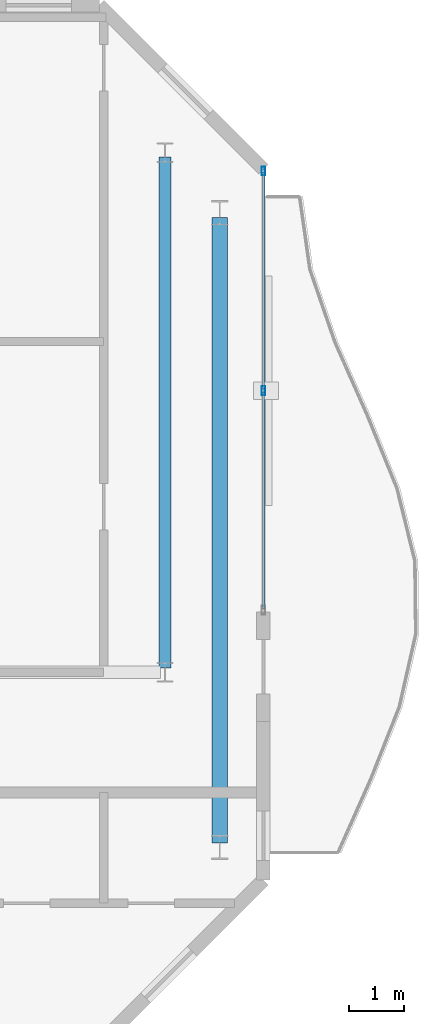
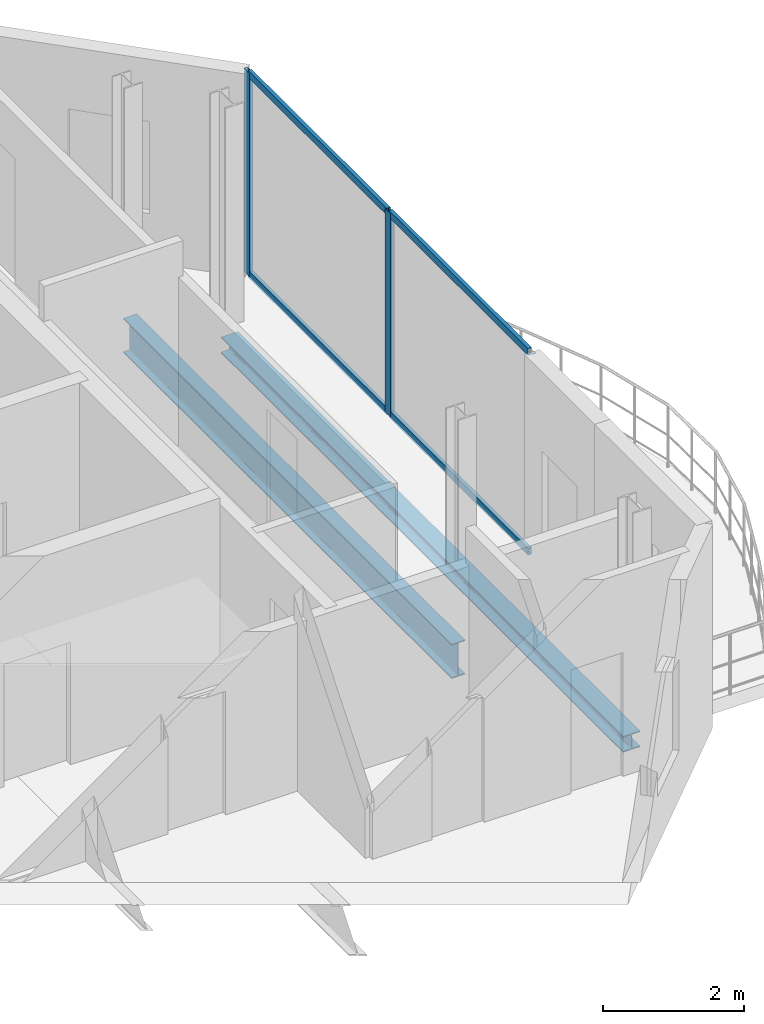
# One storey, part 15 of 22: 6 members, 2 beams, 1 element without a shape of its own.
"""IFC4 building model written with IfcOpenShell, lengths in metres."""

from ifc_helpers import new_model, si_unit, direction, frame, origin, origin_2d, place, context, subcontext, project, spatial, hollow_rectangle, i_section, extrude, material, layer, layer_set, material_profile, profile_set, type_object, element, aggregate, save


model = new_model("IFC4")

# Units and contexts
model_context = context("Model", 3, precision=1e-05, world=origin(), true_north=direction((0.0, 1.0)))
body_context = subcontext(model_context, "Body", "Model", "MODEL_VIEW")
ifc_project = project(units=[si_unit("LENGTHUNIT", "METRE"), si_unit("AREAUNIT", "SQUARE_METRE"), si_unit("VOLUMEUNIT", "CUBIC_METRE"), si_unit("PLANEANGLEUNIT", "RADIAN"), si_unit("MASSUNIT", "GRAM", prefix="KILO")], contexts=[model_context])

# Site, building, storey
site_placement = place(None, origin())
site = spatial("IfcSite", under=ifc_project, at=site_placement, CompositionType="ELEMENT")
building_placement = place(site_placement, origin())
building = spatial("IfcBuilding", under=site, at=building_placement, Name="Catumbela Crestline Tower", CompositionType="ELEMENT")
storey_placement = place(building_placement, frame((0.0, 0.0, 229.8)))
storey = spatial("IfcBuildingStorey", under=building, at=storey_placement, Name="L59", CompositionType="ELEMENT", Elevation=229.8)

# Beam
ifc_material_1 = material(Name="Structural steel S355J2", Category="steel")
ifc_material_profile_1 = material_profile(ifc_material_1, i_section(OverallWidth=0.22, OverallDepth=0.6, WebThickness=0.012, FlangeThickness=0.019, FilletRadius=0.024, at=origin_2d()), Name="IPE 600")
ifc_profile_set_1 = profile_set([ifc_material_profile_1], Name="Structural steel S355J2")
beam_type_1 = type_object("IfcBeamType", Name="BG-IPE600", PredefinedType="BEAM", material=ifc_profile_set_1)
beam_1_placement = place(storey_placement, frame((44.2, 30.88, -0.56), z_axis=(0.0, 1.0, 0.0), x_axis=(-1.0, 0.0, 0.0)))
element("IfcBeam", 1, at=beam_1_placement, inside=storey, type_object=beam_type_1, Name="L59 Beam BM-L59-SN19", PredefinedType="BEAM", context=body_context, shape_type="SweptSolid", body=[
    extrude(i_section(OverallWidth=0.22, OverallDepth=0.6, WebThickness=0.012, FlangeThickness=0.019, FilletRadius=0.024, at=origin_2d()), origin(), (0.0, 0.0, 1.0), 9.34),
])

# Curtain wall, members
ifc_material_2 = material(Name="Aluminium alloy AW-6060-T66", Category="aluminium")
ifc_layer = layer(ifc_material_2, 0.18, Name="Aluminium alloy AW-6060-T66")
ifc_layer_set = layer_set([ifc_layer], Name="Aluminium alloy AW-6060-T66")
curtain_wall_type = type_object("IfcCurtainWallType", Name="CWU-Z4", PredefinedType="USERDEFINED", material=ifc_layer_set)
curtain_wall_placement = place(storey_placement, origin())
curtain_wall = element("IfcCurtainWall", 2, at=curtain_wall_placement, inside=storey, type_object=curtain_wall_type, Name="L59 Unitised Curtain Wall CW-L59-E5S2", ObjectType="UNITISED", PredefinedType="USERDEFINED")
ifc_material_profile_2 = material_profile(ifc_material_2, hollow_rectangle(XDim=0.06, YDim=0.16, WallThickness=0.004, at=origin_2d()), Name="ALU 160x60x4")
ifc_profile_set_2 = profile_set([ifc_material_profile_2], Name="Aluminium alloy AW-6060-T66")
member_type_1 = type_object("IfcMemberType", Name="MUL-160X60", PredefinedType="MULLION", material=ifc_profile_set_2)
member_1_placement = place(storey_placement, frame((46.0, 35.95, 0.0), z_axis=(0.0, 0.0, 1.0), x_axis=(-1.0, 0.0, 0.0)))
member_1 = element("IfcMember", 3, at=member_1_placement, type_object=member_type_1, Name="CWU-Z4 mullion 2", PredefinedType="MULLION", context=body_context, shape_type="SweptSolid", body=[
    extrude(hollow_rectangle(XDim=0.06, YDim=0.16, WallThickness=0.004, at=origin_2d()), origin(), (0.0, 0.0, 1.0), 3.53),
])
member_2_placement = place(storey_placement, frame((46.0, 39.9675, 0.0), z_axis=(0.0, 0.0, 1.0), x_axis=(-1.0, 0.0, 0.0)))
member_2 = element("IfcMember", 4, at=member_2_placement, type_object=member_type_1, Name="CWU-Z4 mullion 3", PredefinedType="MULLION", context=body_context, shape_type="SweptSolid", body=[
    extrude(hollow_rectangle(XDim=0.06, YDim=0.16, WallThickness=0.004, at=origin_2d()), origin(), (0.0, 0.0, 1.0), 3.53),
])

# Beam
ifc_material_profile_3 = material_profile(ifc_material_1, i_section(OverallWidth=0.28, OverallDepth=0.28, WebThickness=0.0105, FlangeThickness=0.018, FilletRadius=0.024, at=origin_2d()), Name="HEB 280")
ifc_profile_set_3 = profile_set([ifc_material_profile_3], Name="Structural steel S355J2")
beam_type_2 = type_object("IfcBeamType", Name="BS-HEB280", PredefinedType="SPANDREL", material=ifc_profile_set_3)
beam_2_placement = place(storey_placement, frame((45.2, 27.68, -0.4), z_axis=(0.0, 1.0, 0.0), x_axis=(-1.0, 0.0, 0.0)))
element("IfcBeam", 5, at=beam_2_placement, inside=storey, type_object=beam_type_2, Name="L59 Spandrel SP-L59-SN20", PredefinedType="SPANDREL", context=body_context, shape_type="SweptSolid", body=[
    extrude(i_section(OverallWidth=0.28, OverallDepth=0.28, WebThickness=0.0105, FlangeThickness=0.018, FilletRadius=0.024, at=origin_2d()), origin(), (0.0, 0.0, 1.0), 11.44),
])

# Member
ifc_material_profile_4 = material_profile(ifc_material_2, hollow_rectangle(XDim=0.06, YDim=0.12, WallThickness=0.0035, at=origin_2d()), Name="ALU 120x60x3.5")
ifc_profile_set_4 = profile_set([ifc_material_profile_4], Name="Aluminium alloy AW-6060-T66")
member_type_2 = type_object("IfcMemberType", Name="TRN-120X60", PredefinedType="USERDEFINED", material=ifc_profile_set_4)
member_3_placement = place(storey_placement, frame((46.0, 31.965, 0.03), z_axis=(0.0, 1.0, 0.0), x_axis=(-1.0, 0.0, 0.0)))
member_3 = element("IfcMember", 6, at=member_3_placement, type_object=member_type_2, Name="CWU-Z4 transom 1.1", ObjectType="TRANSOM", PredefinedType="USERDEFINED", context=body_context, shape_type="SweptSolid", body=[
    extrude(hollow_rectangle(XDim=0.06, YDim=0.12, WallThickness=0.0035, at=origin_2d()), origin(), (0.0, 0.0, 1.0), 3.9525),
])

member_4_placement = place(storey_placement, frame((46.0, 31.965, 3.5), z_axis=(0.0, 1.0, 0.0), x_axis=(-1.0, 0.0, 0.0)))
member_4 = element("IfcMember", 7, at=member_4_placement, type_object=member_type_2, Name="CWU-Z4 transom 1.2", ObjectType="TRANSOM", PredefinedType="USERDEFINED", context=body_context, shape_type="SweptSolid", body=[
    extrude(hollow_rectangle(XDim=0.06, YDim=0.12, WallThickness=0.0035, at=origin_2d()), origin(), (0.0, 0.0, 1.0), 3.9525),
])

member_5_placement = place(storey_placement, frame((46.0, 35.9825, 0.03), z_axis=(0.0, 1.0, 0.0), x_axis=(-1.0, 0.0, 0.0)))
member_5 = element("IfcMember", 8, at=member_5_placement, type_object=member_type_2, Name="CWU-Z4 transom 2.1", ObjectType="TRANSOM", PredefinedType="USERDEFINED", context=body_context, shape_type="SweptSolid", body=[
    extrude(hollow_rectangle(XDim=0.06, YDim=0.12, WallThickness=0.0035, at=origin_2d()), origin(), (0.0, 0.0, 1.0), 3.9525),
])

member_6_placement = place(storey_placement, frame((46.0, 35.9825, 3.5), z_axis=(0.0, 1.0, 0.0), x_axis=(-1.0, 0.0, 0.0)))
member_6 = element("IfcMember", 9, at=member_6_placement, type_object=member_type_2, Name="CWU-Z4 transom 2.2", ObjectType="TRANSOM", PredefinedType="USERDEFINED", context=body_context, shape_type="SweptSolid", body=[
    extrude(hollow_rectangle(XDim=0.06, YDim=0.12, WallThickness=0.0035, at=origin_2d()), origin(), (0.0, 0.0, 1.0), 3.9525),
])

aggregate(curtain_wall, [member_1, member_2, member_3, member_4, member_5, member_6])

save(model, "model.ifc")
